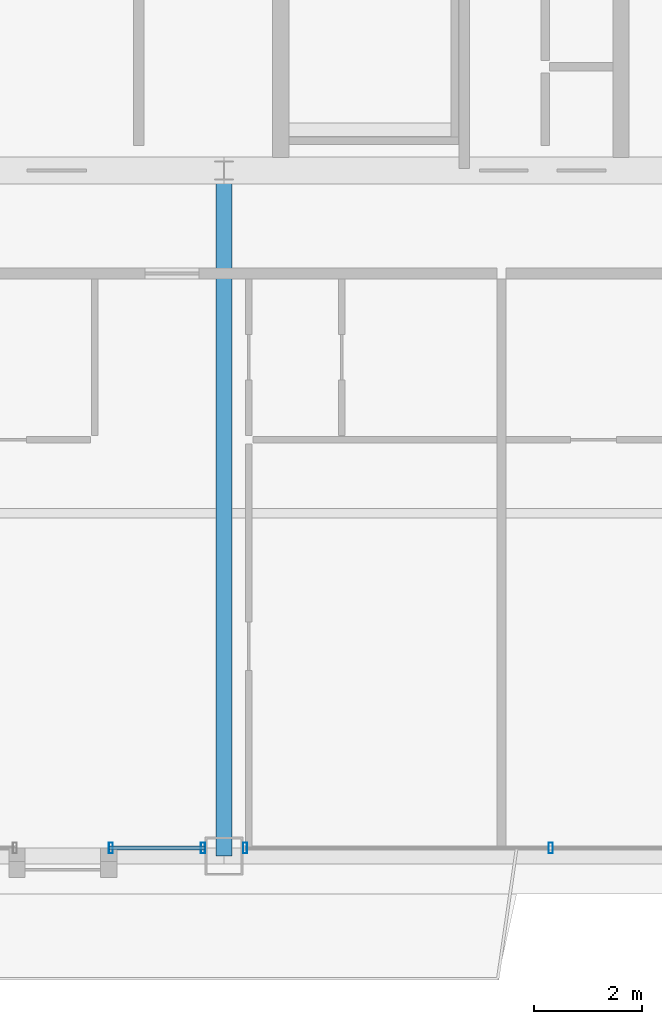
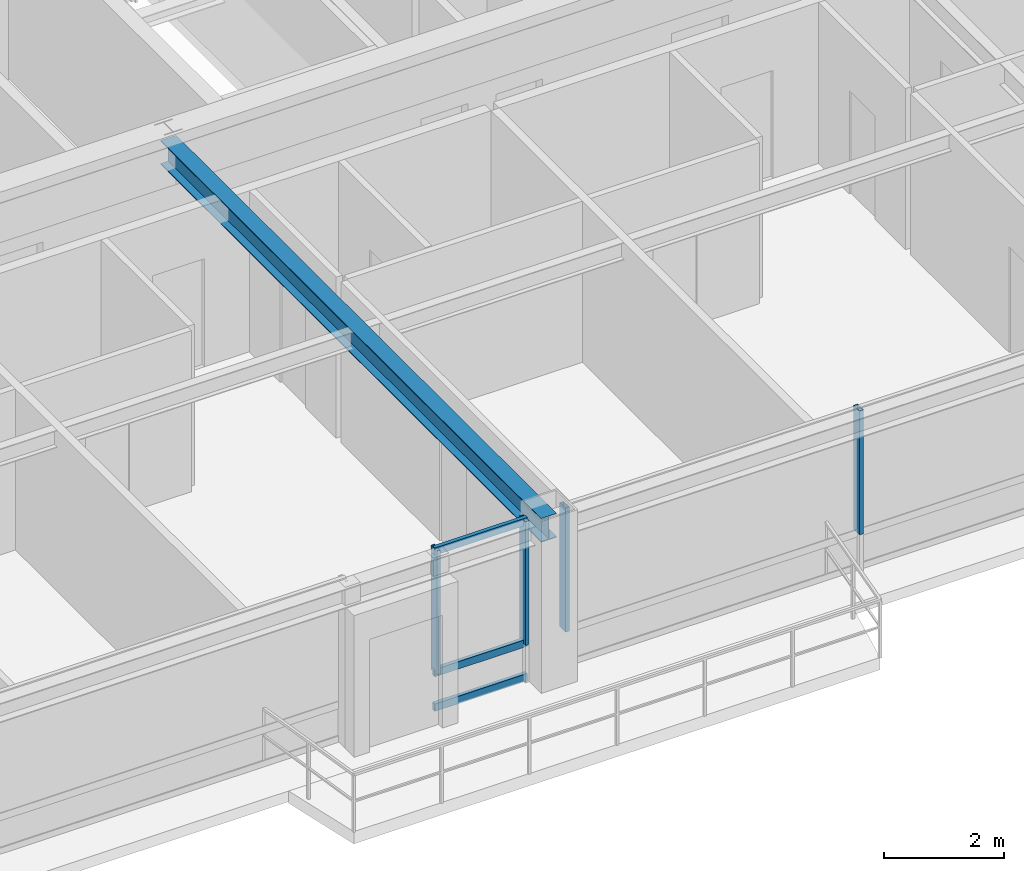
# One storey, part 8 of 35: 7 members, 1 beam, 2 elements without a shape of their own.
"""IFC4 building model written with IfcOpenShell, lengths in metres."""

from ifc_helpers import new_model, si_unit, direction, frame, origin, origin_2d, place, context, subcontext, project, spatial, hollow_rectangle, i_section, extrude, source, transform, mapped, material, layer, layer_set, material_profile, profile_set, type_object, element, aggregate, save


model = new_model("IFC4")

# Units and contexts
model_context = context("Model", 3, precision=1e-05, world=origin(), true_north=direction((0.0, 1.0)))
body_context = subcontext(model_context, "Body", "Model", "MODEL_VIEW")
ifc_project = project(units=[si_unit("LENGTHUNIT", "METRE"), si_unit("AREAUNIT", "SQUARE_METRE"), si_unit("VOLUMEUNIT", "CUBIC_METRE"), si_unit("PLANEANGLEUNIT", "RADIAN"), si_unit("MASSUNIT", "GRAM", prefix="KILO"), si_unit("THERMODYNAMICTEMPERATUREUNIT", "KELVIN"), si_unit("POWERUNIT", "WATT")], contexts=[model_context])

# Site, building, storey
site_placement = place(None, origin())
site = spatial("IfcSite", under=ifc_project, at=site_placement, CompositionType="ELEMENT")
building_placement = place(site_placement, origin())
building = spatial("IfcBuilding", under=site, at=building_placement, Name="Yuzanri Waterfront Tower", CompositionType="ELEMENT")
storey_placement = place(building_placement, frame((0.0, 0.0, 314.699951171875)))
storey = spatial("IfcBuildingStorey", under=building, at=storey_placement, Name="L84", CompositionType="ELEMENT", Elevation=314.699951171875)

# Beam
ifc_material_1 = material(Name="Steel Q355B", Category="steel")
ifc_material_profile_1 = material_profile(ifc_material_1, i_section(OverallWidth=0.300048828125, OverallDepth=0.488037109375, WebThickness=0.010986328125, FlangeThickness=0.01806640625, at=origin_2d()), Name="HM 488x300x11x18")
ifc_profile_set_1 = profile_set([ifc_material_profile_1], Name="Steel Q355B")
beam_type = type_object("IfcBeamType", Name="Primary Floor Girder Q355B HM 488x300", PredefinedType="BEAM", material=ifc_profile_set_1)
shared_shape_1 = source(origin(), body_context, "Body", "SweptSolid", [
    extrude(i_section(OverallWidth=0.300048828125, OverallDepth=0.488037109375, WebThickness=0.010986328125, FlangeThickness=0.01806640625, at=origin_2d()), origin(), (0.0, 0.0, 1.0), 12.699951171875),
])
beam_placement = place(storey_placement, frame((37.0, 19.39990234375, 3.0361328125), z_axis=(0.0, -1.0, 0.0), x_axis=(1.0, 0.0, 0.0)))
element("IfcBeam", 1, at=beam_placement, inside=storey, type_object=beam_type, Name="L84 South Grid Girder", PredefinedType="BEAM", context=body_context, shape_type="MappedRepresentation", body=[
    mapped(shared_shape_1, transform((0.0, 0.0, 0.0), scale=1.0)),
])

# Curtain wall, members
ifc_material_2 = material(Name="Anodized Architectural Bronze", Category="metal")
ifc_layer = layer(ifc_material_2, 0.159912109375)
ifc_layer_set = layer_set([ifc_layer], Name="Anodized Architectural Bronze")
curtain_wall_type = type_object("IfcCurtainWallType", Name="Anodized Bronze High-Rise Penthouse High-Wind Unitized Curtain Wall 6900", PredefinedType="NOTDEFINED", material=ifc_layer_set)
curtain_wall_1_placement = place(storey_placement, origin())
curtain_wall_1 = element("IfcCurtainWall", 2, at=curtain_wall_1_placement, inside=storey, type_object=curtain_wall_type, Name="L84 Curtain Wall CW-L84-SL2", PredefinedType="NOTDEFINED")
ifc_material_3 = material(Name="Anodized Architectural Bronze", Category="metal")
ifc_material_profile_2 = material_profile(ifc_material_3, hollow_rectangle(XDim=0.074951171875, YDim=0.199951171875, WallThickness=0.00390625, at=origin_2d()), Name="CWM 75x200")
ifc_profile_set_2 = profile_set([ifc_material_profile_2], Name="Anodized Architectural Bronze")
member_type_1 = type_object("IfcMemberType", Name="Anodized Bronze Primary Curtain-Wall Mullion 75x200", PredefinedType="MULLION", material=ifc_profile_set_2)
shared_shape_2 = source(origin(), body_context, "Body", "SweptSolid", [
    extrude(hollow_rectangle(XDim=0.074951171875, YDim=0.199951171875, WallThickness=0.00390625, at=origin_2d()), origin(), (0.0, 0.0, 1.0), 2.52392578125),
])
member_1_placement = place(storey_placement, frame((34.905029296875, 6.85009765625, 0.756103515625), z_axis=(0.0, 0.0, 1.0), x_axis=(1.0, 0.0, 0.0)))
member_1 = element("IfcMember", 3, at=member_1_placement, type_object=member_type_1, Name="CW-L84-SL2 Upper Mullion 00", PredefinedType="MULLION", context=body_context, shape_type="MappedRepresentation", body=[
    mapped(shared_shape_2, transform((0.0, 0.0, 0.0), scale=1.0)),
])
member_2_placement = place(storey_placement, frame((36.610107421875, 6.85009765625, 0.756103515625), z_axis=(0.0, 0.0, 1.0), x_axis=(1.0, 0.0, 0.0)))
member_2 = element("IfcMember", 4, at=member_2_placement, type_object=member_type_1, Name="CW-L84-SL2 Upper Mullion 01", PredefinedType="MULLION", context=body_context, shape_type="MappedRepresentation", body=[
    mapped(shared_shape_2, transform((0.0, 0.0, 0.0), scale=1.0)),
])

curtain_wall_2_placement = place(storey_placement, origin())
curtain_wall_2 = element("IfcCurtainWall", 5, at=curtain_wall_2_placement, inside=storey, type_object=curtain_wall_type, Name="L84 Curtain Wall CW-L84-SR", PredefinedType="NOTDEFINED")
member_3_placement = place(storey_placement, frame((37.389892578125, 6.85009765625, 0.756103515625), z_axis=(0.0, 0.0, 1.0), x_axis=(1.0, 0.0, 0.0)))
member_3 = element("IfcMember", 6, at=member_3_placement, type_object=member_type_1, Name="CW-L84-SR Upper Mullion 00", PredefinedType="MULLION", context=body_context, shape_type="MappedRepresentation", body=[
    mapped(shared_shape_2, transform((0.0, 0.0, 0.0), scale=1.0)),
])
member_4_placement = place(storey_placement, frame((43.050048828125, 6.85009765625, 0.756103515625), z_axis=(0.0, 0.0, 1.0), x_axis=(1.0, 0.0, 0.0)))
member_4 = element("IfcMember", 7, at=member_4_placement, type_object=member_type_1, Name="CW-L84-SR Upper Mullion 01", PredefinedType="MULLION", context=body_context, shape_type="MappedRepresentation", body=[
    mapped(shared_shape_2, transform((0.0, 0.0, 0.0), scale=1.0)),
])
aggregate(curtain_wall_2, [member_3, member_4])

# Member
ifc_material_4 = material(Name="Anodized Architectural Bronze", Category="metal")
ifc_material_profile_3 = material_profile(ifc_material_4, hollow_rectangle(XDim=0.074951171875, YDim=0.14990234375, WallThickness=0.00390625, at=origin_2d()), Name="CWT 75x150")
ifc_profile_set_3 = profile_set([ifc_material_profile_3], Name="Anodized Architectural Bronze")
member_type_2 = type_object("IfcMemberType", Name="Anodized Bronze Primary Curtain-Wall Transom 75x150", PredefinedType="USERDEFINED", material=ifc_profile_set_3)
shared_shape_3 = source(origin(), body_context, "Body", "SweptSolid", [
    extrude(hollow_rectangle(XDim=0.074951171875, YDim=0.14990234375, WallThickness=0.00390625, at=origin_2d()), origin(), (0.0, 0.0, 1.0), 1.784912109375),
])
member_5_placement = place(storey_placement, frame((34.864990234375, 6.85009765625, 0.050048828125), z_axis=(1.0, 0.0, 0.0), x_axis=(0.0, 1.0, 0.0)))
member_5 = element("IfcMember", 8, at=member_5_placement, type_object=member_type_2, Name="CW-L84-SL2 Transom 1", ObjectType="TRANSOM", PredefinedType="USERDEFINED", context=body_context, shape_type="MappedRepresentation", body=[
    mapped(shared_shape_3, transform((0.0, 0.0, 0.0), scale=1.0)),
])

member_6_placement = place(storey_placement, frame((34.864990234375, 6.85009765625, 0.754150390625), z_axis=(1.0, 0.0, 0.0), x_axis=(0.0, 1.0, 0.0)))
member_6 = element("IfcMember", 9, at=member_6_placement, type_object=member_type_2, Name="CW-L84-SL2 Transom 2", ObjectType="TRANSOM", PredefinedType="USERDEFINED", context=body_context, shape_type="MappedRepresentation", body=[
    mapped(shared_shape_3, transform((0.0, 0.0, 0.0), scale=1.0)),
])

member_7_placement = place(storey_placement, frame((34.864990234375, 6.85009765625, 3.22998046875), z_axis=(1.0, 0.0, 0.0), x_axis=(0.0, 1.0, 0.0)))
member_7 = element("IfcMember", 10, at=member_7_placement, type_object=member_type_2, Name="CW-L84-SL2 Transom 3", ObjectType="TRANSOM", PredefinedType="USERDEFINED", context=body_context, shape_type="MappedRepresentation", body=[
    mapped(shared_shape_3, transform((0.0, 0.0, 0.0), scale=1.0)),
])

aggregate(curtain_wall_1, [member_1, member_2, member_5, member_6, member_7])

save(model, "model.ifc")
